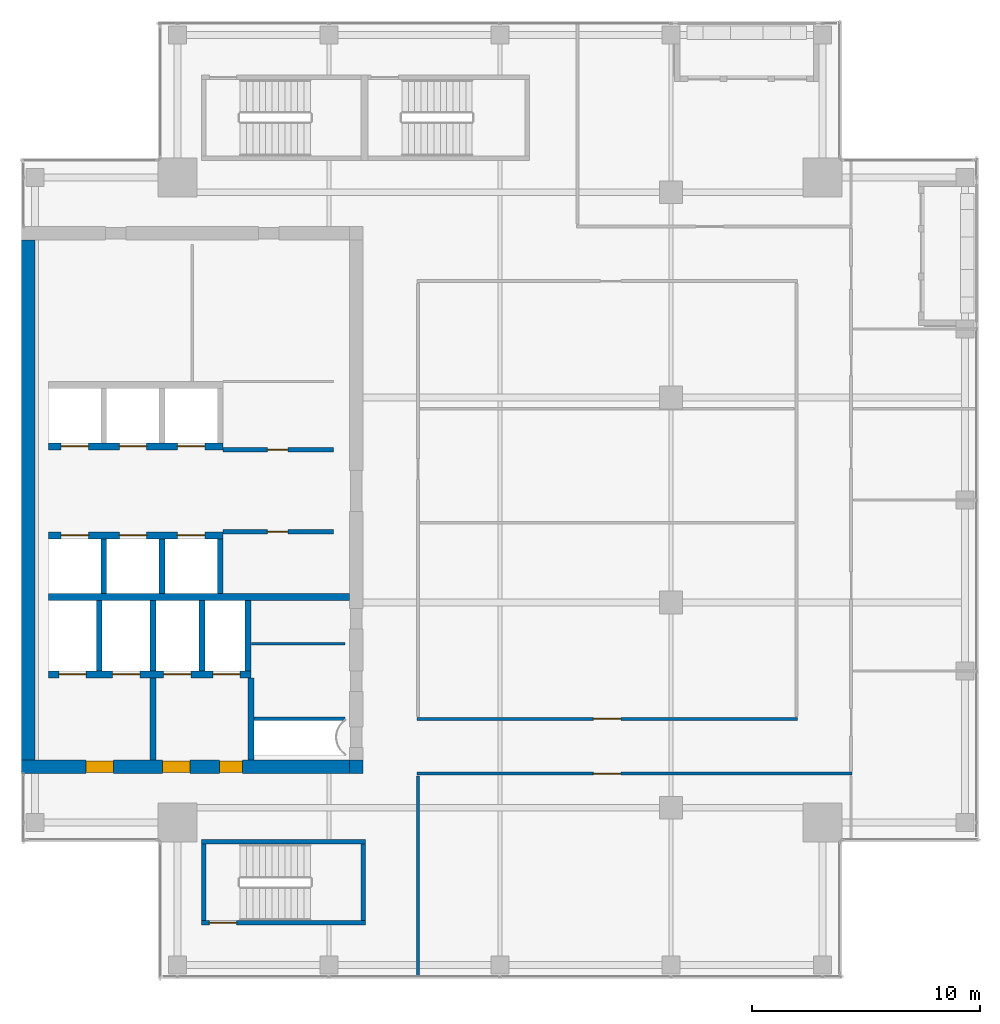
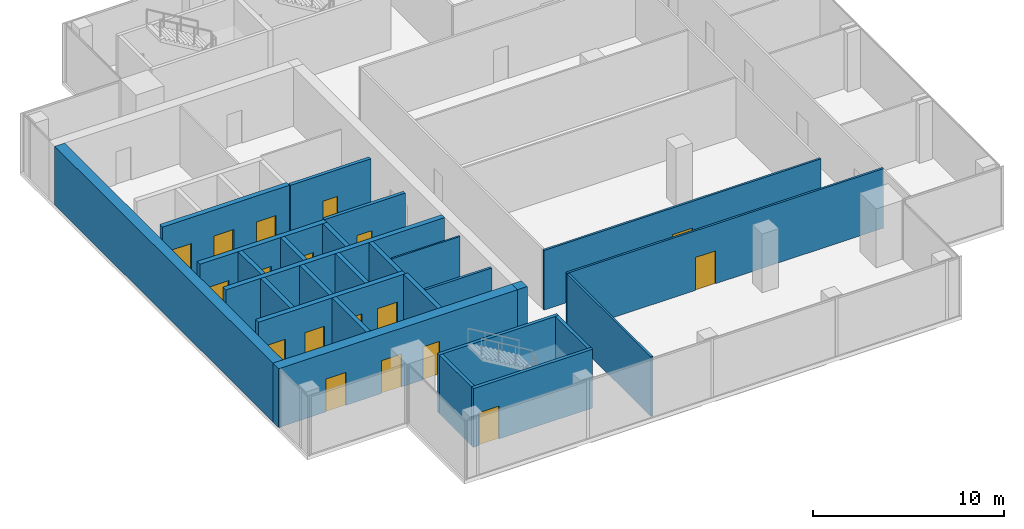
# One storey, part 25 of 29: 27 walls, 18 doors, 18 openings.
"""IFC4 building model written with IfcOpenShell, lengths in metres."""

from ifc_helpers import new_model, si_unit, direction, frame, frame_2d, origin, place, context, subcontext, project, spatial, rectangle, extrude, source, transform, mapped, material, layer, layer_set, type_object, element, fill, save


model = new_model("IFC4")

# Units and contexts
model_context = context("Model", 3, precision=1e-05, world=origin(), true_north=direction((0.0, 1.0)))
body_context = subcontext(model_context, "Body", "Model", "MODEL_VIEW")
ifc_project = project(units=[si_unit("LENGTHUNIT", "METRE"), si_unit("AREAUNIT", "SQUARE_METRE"), si_unit("VOLUMEUNIT", "CUBIC_METRE"), si_unit("PLANEANGLEUNIT", "RADIAN"), si_unit("MASSUNIT", "GRAM", prefix="KILO")], contexts=[model_context])

# Site, building, storey
site_placement = place(None, origin())
site = spatial("IfcSite", under=ifc_project, at=site_placement, CompositionType="ELEMENT")
building_placement = place(site_placement, origin())
building = spatial("IfcBuilding", under=site, at=building_placement, Name="Khomas Fold Tower", CompositionType="ELEMENT")
storey_placement = place(building_placement, frame((0.0, 0.0, 314.199951171875)))
storey = spatial("IfcBuildingStorey", under=building, at=storey_placement, Name="L71", CompositionType="ELEMENT", Elevation=314.199951171875)

# Wall
ifc_material_1 = material(Name="Concrete C50/60", Category="concrete")
ifc_layer_1 = layer(ifc_material_1, 0.199951171875)
ifc_layer_set_1 = layer_set([ifc_layer_1], Name="Concrete C50/60")
wall_type_1 = type_object("IfcWallType", Name="Stair wall 200", PredefinedType="SHEAR", material=ifc_layer_set_1)
shared_shape_1 = source(origin(), body_context, "Body", "SweptSolid", [
    extrude(rectangle(XDim=7.2001953125, YDim=0.199951171875, at=frame_2d((3.60009765625, 0.0))), origin(), (0.0, 0.0, 1.0), 3.75),
])
wall_1_placement = place(storey_placement, frame((13.89990234375, 12.0, 0.0), z_axis=(0.0, 0.0, 1.0), x_axis=(1.0, 0.0, 0.0)))
element("IfcWall", 1, at=wall_1_placement, inside=storey, type_object=wall_type_1, Name="Stair wall SW-ST2-NH", PredefinedType="SHEAR", context=body_context, shape_type="MappedRepresentation", body=[
    mapped(shared_shape_1, transform((0.0, 0.0, 0.0))),
])

# Wall, opening, door
wall_2_placement = place(storey_placement, frame((13.89990234375, 8.449951171875, 0.0), z_axis=(0.0, 0.0, 1.0), x_axis=(1.0, 0.0, 0.0)))
wall_2 = element("IfcWall", 2, at=wall_2_placement, inside=storey, type_object=wall_type_1, Name="Stair wall SW-ST2-S", PredefinedType="SHEAR", context=body_context, shape_type="MappedRepresentation", body=[
    mapped(shared_shape_1, transform((0.0, 0.0, 0.0))),
])
shared_shape_2 = source(origin(), body_context, "Body", "SweptSolid", [
    extrude(rectangle(XDim=1.199951171875, YDim=2.10009765625, at=frame_2d((0.60009765625, 1.050048828125))), frame((0.0, 0.10986328125, 0.0), z_axis=(0.0, -1.0, 0.0), x_axis=(1.0, 0.0, 0.0)), (0.0, 0.0, 1.0), 0.219970703125),
])
opening_1_placement = place(wall_2_placement, frame((0.35009765625, 0.0, 0.0)))
opening_1 = element("IfcOpeningElement", 3, at=opening_1_placement, cuts=wall_2, Name="Opening SD-ST2", PredefinedType="OPENING", context=body_context, shape_type="MappedRepresentation", body=[
    mapped(shared_shape_2, transform((0.0, 0.0, 0.0))),
])
ifc_material_2 = material(Name="Steel door leaf", Category="steel")
door_type_1 = type_object("IfcDoorType", Name="Stair door 1200x2100 right-hand", OperationType="SINGLE_SWING_RIGHT", PredefinedType="DOOR", material=ifc_material_2)
shared_shape_3 = source(origin(), body_context, "Body", "SweptSolid", [
    extrude(rectangle(XDim=1.199951171875, YDim=2.10009765625, at=frame_2d((0.60009765625, 1.050048828125))), frame((0.0, 0.02490234375, 0.0), z_axis=(0.0, -1.0, 0.0), x_axis=(1.0, 0.0, 0.0)), (0.0, 0.0, 1.0), 0.050048828125),
])
door_1_placement = place(opening_1_placement, origin())
door_1 = element("IfcDoor", 4, at=door_1_placement, inside=storey, type_object=door_type_1, Name="Stair door", OperationType="SINGLE_SWING_RIGHT", OverallHeight=2.10009765625, OverallWidth=1.199951171875, PredefinedType="DOOR", context=body_context, shape_type="MappedRepresentation", body=[
    mapped(shared_shape_3, transform((0.0, 0.0, 0.0))),
])
fill(opening_1, door_1)

# Walls
shared_shape_4 = source(origin(), body_context, "Body", "SweptSolid", [
    extrude(rectangle(XDim=3.349853515625, YDim=0.199951171875, at=frame_2d((1.6748046875, 0.0))), origin(), (0.0, 0.0, 1.0), 3.75),
])
for number, where, z_axis, x_axis, name in (
    (5, (21.0, 8.550048828125, 0.0), (0.0, 0.0, 1.0), (0.0, 1.0, 0.0), "Stair wall SW-ST2-E"),
    (6, (14.0, 8.550048828125, 0.0), (0.0, 0.0, 1.0), (0.0, 1.0, 0.0), "Stair wall SW-ST2-W"),
):
    element("IfcWall", number, at=place(storey_placement, frame(where, z_axis=z_axis, x_axis=x_axis)), inside=storey, type_object=wall_type_1, Name=name, PredefinedType="SHEAR", context=body_context, shape_type="MappedRepresentation", body=[
        mapped(shared_shape_4, transform((0.0, 0.0, 0.0))),
    ])
ifc_material_3 = material(Name="Concrete C50/60", Category="concrete")
ifc_layer_2 = layer(ifc_material_3, 0.25)
ifc_layer_set_2 = layer_set([ifc_layer_2], Name="Concrete C50/60")
wall_type_2 = type_object("IfcWallType", Name="Shaft wall 250", PredefinedType="STANDARD", material=ifc_layer_set_2)
shared_shape_5 = source(origin(), body_context, "Body", "SweptSolid", [
    extrude(rectangle(XDim=3.10009765625, YDim=0.25, at=frame_2d((1.550048828125, 0.0))), origin(), (0.0, 0.0, 1.0), 3.75),
])
for number, where, z_axis, x_axis, name in (
    (7, (9.425048828125, 19.5, 0.0), (0.0, 0.0, 1.0), (0.0, 1.0, 0.0), "Core wall SW-FS-P1"),
    (8, (11.77490234375, 19.5, 0.0), (0.0, 0.0, 1.0), (0.0, 1.0, 0.0), "Core wall SW-FS-P2"),
    (9, (13.925048828125, 19.5, 0.0), (0.0, 0.0, 1.0), (0.0, 1.0, 0.0), "Core wall SW-FS-P3"),
    (10, (15.949951171875, 19.5, 0.0), (0.0, 0.0, 1.0), (0.0, 1.0, 0.0), "Core wall SW-FS-PE"),
):
    element("IfcWall", number, at=place(storey_placement, frame(where, z_axis=z_axis, x_axis=x_axis)), inside=storey, type_object=wall_type_2, Name=name, PredefinedType="STANDARD", context=body_context, shape_type="MappedRepresentation", body=[
        mapped(shared_shape_5, transform((0.0, 0.0, 0.0))),
    ])
shared_shape_6 = source(origin(), body_context, "Body", "SweptSolid", [
    extrude(rectangle(XDim=2.400146484375, YDim=0.25, at=frame_2d((1.2001953125, 0.0))), origin(), (0.0, 0.0, 1.0), 3.75),
])
for number, where, z_axis, x_axis, name in (
    (11, (9.625, 22.89990234375, 0.0), (0.0, 0.0, 1.0), (0.0, 1.0, 0.0), "Core wall SW-HRS-P1"),
    (12, (12.175048828125, 22.89990234375, 0.0), (0.0, 0.0, 1.0), (0.0, 1.0, 0.0), "Core wall SW-HRS-P2"),
    (13, (14.72509765625, 22.89990234375, 0.0), (0.0, 0.0, 1.0), (0.0, 1.0, 0.0), "Core wall SW-HRS-PE"),
):
    element("IfcWall", number, at=place(storey_placement, frame(where, z_axis=z_axis, x_axis=x_axis)), inside=storey, type_object=wall_type_2, Name=name, PredefinedType="STANDARD", context=body_context, shape_type="MappedRepresentation", body=[
        mapped(shared_shape_6, transform((0.0, 0.0, 0.0))),
    ])

# Wall, openings, doors
ifc_material_4 = material(Name="Concrete C50/60", Category="concrete")
ifc_layer_3 = layer(ifc_material_4, 0.60009765625)
ifc_layer_set_3 = layer_set([ifc_layer_3], Name="Concrete C50/60")
wall_type_3 = type_object("IfcWallType", Name="Core wall 600", PredefinedType="SHEAR", material=ifc_layer_set_3)
shared_shape_7 = source(origin(), body_context, "Body", "SweptSolid", [
    extrude(rectangle(XDim=14.39990234375, YDim=0.60009765625, at=frame_2d((7.199951171875, 0.0))), origin(), (0.0, 0.0, 1.0), 3.75),
])
wall_3_placement = place(storey_placement, frame((6.0, 15.300048828125, 0.0), z_axis=(0.0, 0.0, 1.0), x_axis=(1.0, 0.0, 0.0)))
wall_3 = element("IfcWall", 14, at=wall_3_placement, inside=storey, type_object=wall_type_3, Name="Core wall CW-U-S-L63", PredefinedType="SHEAR", context=body_context, shape_type="MappedRepresentation", body=[
    mapped(shared_shape_7, transform((0.0, 0.0, 0.0))),
])
shared_shape_8 = source(origin(), body_context, "Body", "SweptSolid", [
    extrude(rectangle(XDim=1.199951171875, YDim=2.10009765625, at=frame_2d((0.60009765625, 1.050048828125))), frame((0.0, 0.31005859375, 0.0), z_axis=(0.0, -1.0, 0.0), x_axis=(1.0, 0.0, 0.0)), (0.0, 0.0, 1.0), 0.6201171875),
])
opening_2_placement = place(wall_3_placement, frame((6.199951171875, 0.0, 0.0)))
opening_2 = element("IfcOpeningElement", 15, at=opening_2_placement, cuts=wall_3, Name="Opening 0009", PredefinedType="OPENING", context=body_context, shape_type="MappedRepresentation", body=[
    mapped(shared_shape_8, transform((0.0, 0.0, 0.0))),
])
opening_3_placement = place(wall_3_placement, frame((2.85009765625, 0.0, 0.0)))
opening_3 = element("IfcOpeningElement", 16, at=opening_3_placement, cuts=wall_3, Name="Opening 0009", PredefinedType="OPENING", context=body_context, shape_type="MappedRepresentation", body=[
    mapped(shared_shape_8, transform((0.0, 0.0, 0.0))),
])
shared_shape_9 = source(origin(), body_context, "Body", "SweptSolid", [
    extrude(rectangle(XDim=1.0, YDim=2.10009765625, at=frame_2d((0.5, 1.050048828125))), frame((0.0, 0.31005859375, 0.0), z_axis=(0.0, -1.0, 0.0), x_axis=(1.0, 0.0, 0.0)), (0.0, 0.0, 1.0), 0.6201171875),
])
opening_4_placement = place(wall_3_placement, frame((8.699951171875, 0.0, 0.0)))
opening_4 = element("IfcOpeningElement", 17, at=opening_4_placement, cuts=wall_3, Name="Opening 0010", PredefinedType="OPENING", context=body_context, shape_type="MappedRepresentation", body=[
    mapped(shared_shape_9, transform((0.0, 0.0, 0.0))),
])
ifc_material_5 = material(Name="Steel door leaf", Category="steel")
door_type_2 = type_object("IfcDoorType", Name="Stair door 1000x2100 right-hand", OperationType="SINGLE_SWING_RIGHT", PredefinedType="DOOR", material=ifc_material_5)
shared_shape_10 = source(origin(), body_context, "Body", "SweptSolid", [
    extrude(rectangle(XDim=1.0, YDim=2.10009765625, at=frame_2d((0.5, 1.050048828125))), frame((0.0, 0.25, 0.0), z_axis=(0.0, -1.0, 0.0), x_axis=(1.0, 0.0, 0.0)), (0.0, 0.0, 1.0), 0.5),
])
door_2_placement = place(opening_4_placement, origin())
door_2 = element("IfcDoor", 18, at=door_2_placement, inside=storey, type_object=door_type_2, Name="Stair door", OperationType="SINGLE_SWING_RIGHT", OverallHeight=2.10009765625, OverallWidth=1.0, PredefinedType="DOOR", context=body_context, shape_type="MappedRepresentation", body=[
    mapped(shared_shape_10, transform((0.0, 0.0, 0.0))),
])
fill(opening_4, door_2)
ifc_material_6 = material(Name="Steel door leaf", Category="steel")
door_type_3 = type_object("IfcDoorType", Name="Lobby door 1200x2100 right-hand", OperationType="SINGLE_SWING_RIGHT", PredefinedType="DOOR", material=ifc_material_6)
shared_shape_11 = source(origin(), body_context, "Body", "SweptSolid", [
    extrude(rectangle(XDim=1.199951171875, YDim=2.10009765625, at=frame_2d((0.60009765625, 1.050048828125))), frame((0.0, 0.25, 0.0), z_axis=(0.0, -1.0, 0.0), x_axis=(1.0, 0.0, 0.0)), (0.0, 0.0, 1.0), 0.5),
])
door_3_placement = place(opening_2_placement, origin())
door_3 = element("IfcDoor", 19, at=door_3_placement, inside=storey, type_object=door_type_3, Name="Lobby door", OperationType="SINGLE_SWING_RIGHT", OverallHeight=2.10009765625, OverallWidth=1.199951171875, PredefinedType="DOOR", context=body_context, shape_type="MappedRepresentation", body=[
    mapped(shared_shape_11, transform((0.0, 0.0, 0.0))),
])
fill(opening_2, door_3)
door_4_placement = place(opening_3_placement, origin())
door_4 = element("IfcDoor", 20, at=door_4_placement, inside=storey, type_object=door_type_3, Name="Lobby door", OperationType="SINGLE_SWING_RIGHT", OverallHeight=2.10009765625, OverallWidth=1.199951171875, PredefinedType="DOOR", context=body_context, shape_type="MappedRepresentation", body=[
    mapped(shared_shape_11, transform((0.0, 0.0, 0.0))),
])
fill(opening_3, door_4)

# Walls
ifc_material_7 = material(Name="Concrete C50/60", Category="concrete")
ifc_layer_4 = layer(ifc_material_7, 0.60009765625)
ifc_layer_set_4 = layer_set([ifc_layer_4], Name="Concrete C50/60")
wall_type_4 = type_object("IfcWallType", Name="Core corner wall 600", PredefinedType="SHEAR", material=ifc_layer_set_4)
shared_shape_12 = source(origin(), body_context, "Body", "SweptSolid", [
    extrude(rectangle(XDim=0.60009765625, YDim=0.60009765625, at=frame_2d((0.300048828125, 0.0))), origin(), (0.0, 0.0, 1.0), 3.75),
])
wall_4_placement = place(storey_placement, frame((20.39990234375, 15.300048828125, 0.0), z_axis=(0.0, 0.0, 1.0), x_axis=(1.0, 0.0, 0.0)))
element("IfcWall", 21, at=wall_4_placement, inside=storey, type_object=wall_type_4, Name="Core wall CW-U-SE-L63", PredefinedType="SHEAR", context=body_context, shape_type="MappedRepresentation", body=[
    mapped(shared_shape_12, transform((0.0, 0.0, 0.0))),
])
shared_shape_13 = source(origin(), body_context, "Body", "SweptSolid", [
    extrude(rectangle(XDim=22.7998046875, YDim=0.60009765625, at=frame_2d((11.39990234375, 0.0))), origin(), (0.0, 0.0, 1.0), 3.75),
])
wall_5_placement = place(storey_placement, frame((6.300048828125, 15.60009765625, 0.0), z_axis=(0.0, 0.0, 1.0), x_axis=(0.0, 1.0, 0.0)))
element("IfcWall", 22, at=wall_5_placement, inside=storey, type_object=wall_type_3, Name="Core wall CW-U-W-L63", PredefinedType="SHEAR", context=body_context, shape_type="MappedRepresentation", body=[
    mapped(shared_shape_13, transform((0.0, 0.0, 0.0))),
])
ifc_material_8 = material(Name="Concrete C50/60", Category="concrete")
ifc_layer_5 = layer(ifc_material_8, 0.300048828125)
ifc_layer_set_5 = layer_set([ifc_layer_5], Name="Concrete C50/60")
wall_type_5 = type_object("IfcWallType", Name="Shaft wall 300", PredefinedType="STANDARD", material=ifc_layer_set_5)
shared_shape_14 = source(origin(), body_context, "Body", "SweptSolid", [
    extrude(rectangle(XDim=13.199951171875, YDim=0.300048828125, at=frame_2d((6.60009765625, 0.0))), origin(), (0.0, 0.0, 1.0), 3.75),
])
wall_6_placement = place(storey_placement, frame((7.199951171875, 22.75, 0.0), z_axis=(0.0, 0.0, 1.0), x_axis=(1.0, 0.0, 0.0)))
element("IfcWall", 23, at=wall_6_placement, inside=storey, type_object=wall_type_5, Name="Core wall SW-FS-B", PredefinedType="STANDARD", context=body_context, shape_type="MappedRepresentation", body=[
    mapped(shared_shape_14, transform((0.0, 0.0, 0.0))),
])

# Wall, openings, doors
shared_shape_15 = source(origin(), body_context, "Body", "SweptSolid", [
    extrude(rectangle(XDim=8.875, YDim=0.300048828125, at=frame_2d((4.4375, 0.0))), origin(), (0.0, 0.0, 1.0), 3.75),
])
wall_7_placement = place(storey_placement, frame((7.199951171875, 19.35009765625, 0.0), z_axis=(0.0, 0.0, 1.0), x_axis=(1.0, 0.0, 0.0)))
wall_7 = element("IfcWall", 24, at=wall_7_placement, inside=storey, type_object=wall_type_5, Name="Core wall SW-FS-F", PredefinedType="STANDARD", context=body_context, shape_type="MappedRepresentation", body=[
    mapped(shared_shape_15, transform((0.0, 0.0, 0.0))),
])
shared_shape_16 = source(origin(), body_context, "Body", "SweptSolid", [
    extrude(rectangle(XDim=1.199951171875, YDim=2.10009765625, at=frame_2d((0.60009765625, 1.050048828125))), frame((0.0, 0.159912109375, 0.0), z_axis=(0.0, -1.0, 0.0), x_axis=(1.0, 0.0, 0.0)), (0.0, 0.0, 1.0), 0.320068359375),
])
opening_5_placement = place(wall_7_placement, frame((0.449951171875, 0.0, 0.0)))
opening_5 = element("IfcOpeningElement", 25, at=opening_5_placement, cuts=wall_7, Name="Opening LD-SV1", PredefinedType="OPENING", context=body_context, shape_type="MappedRepresentation", body=[
    mapped(shared_shape_16, transform((0.0, 0.0, 0.0))),
])
opening_6_placement = place(wall_7_placement, frame((2.800048828125, 0.0, 0.0)))
opening_6 = element("IfcOpeningElement", 26, at=opening_6_placement, cuts=wall_7, Name="Opening LD-SV2", PredefinedType="OPENING", context=body_context, shape_type="MappedRepresentation", body=[
    mapped(shared_shape_16, transform((0.0, 0.0, 0.0))),
])
opening_7_placement = place(wall_7_placement, frame((5.050048828125, 0.0, 0.0)))
opening_7 = element("IfcOpeningElement", 27, at=opening_7_placement, cuts=wall_7, Name="Opening LD-FF1", PredefinedType="OPENING", context=body_context, shape_type="MappedRepresentation", body=[
    mapped(shared_shape_16, transform((0.0, 0.0, 0.0))),
])
opening_8_placement = place(wall_7_placement, frame((7.199951171875, 0.0, 0.0)))
opening_8 = element("IfcOpeningElement", 28, at=opening_8_placement, cuts=wall_7, Name="Opening LD-FF2", PredefinedType="OPENING", context=body_context, shape_type="MappedRepresentation", body=[
    mapped(shared_shape_16, transform((0.0, 0.0, 0.0))),
])
ifc_material_9 = material(Name="Steel door leaf", Category="steel")
door_type_4 = type_object("IfcDoorType", Name="Landing door 1200x2100", OperationType="DOUBLE_DOOR_SLIDING", PredefinedType="DOOR", material=ifc_material_9)
door_5_placement = place(opening_5_placement, origin())
door_5 = element("IfcDoor", 29, at=door_5_placement, inside=storey, type_object=door_type_4, Name="Lift landing door", OperationType="DOUBLE_DOOR_SLIDING", OverallHeight=2.10009765625, OverallWidth=1.199951171875, PredefinedType="DOOR", context=body_context, shape_type="MappedRepresentation", body=[
    mapped(shared_shape_3, transform((0.0, 0.0, 0.0))),
])
fill(opening_5, door_5)
door_6_placement = place(opening_6_placement, origin())
door_6 = element("IfcDoor", 30, at=door_6_placement, inside=storey, type_object=door_type_4, Name="Lift landing door", OperationType="DOUBLE_DOOR_SLIDING", OverallHeight=2.10009765625, OverallWidth=1.199951171875, PredefinedType="DOOR", context=body_context, shape_type="MappedRepresentation", body=[
    mapped(shared_shape_3, transform((0.0, 0.0, 0.0))),
])
fill(opening_6, door_6)
door_7_placement = place(opening_7_placement, origin())
door_7 = element("IfcDoor", 31, at=door_7_placement, inside=storey, type_object=door_type_4, Name="Lift landing door", OperationType="DOUBLE_DOOR_SLIDING", OverallHeight=2.10009765625, OverallWidth=1.199951171875, PredefinedType="DOOR", context=body_context, shape_type="MappedRepresentation", body=[
    mapped(shared_shape_3, transform((0.0, 0.0, 0.0))),
])
fill(opening_7, door_7)
door_8_placement = place(opening_8_placement, origin())
door_8 = element("IfcDoor", 32, at=door_8_placement, inside=storey, type_object=door_type_4, Name="Lift landing door", OperationType="DOUBLE_DOOR_SLIDING", OverallHeight=2.10009765625, OverallWidth=1.199951171875, PredefinedType="DOOR", context=body_context, shape_type="MappedRepresentation", body=[
    mapped(shared_shape_3, transform((0.0, 0.0, 0.0))),
])
fill(opening_8, door_8)

shared_shape_17 = source(origin(), body_context, "Body", "SweptSolid", [
    extrude(rectangle(XDim=7.650146484375, YDim=0.300048828125, at=frame_2d((3.8251953125, 0.0))), origin(), (0.0, 0.0, 1.0), 3.75),
])
wall_8_placement = place(storey_placement, frame((7.199951171875, 29.35009765625, 0.0), z_axis=(0.0, 0.0, 1.0), x_axis=(1.0, 0.0, 0.0)))
wall_8 = element("IfcWall", 33, at=wall_8_placement, inside=storey, type_object=wall_type_5, Name="Core wall SW-HRN-F", PredefinedType="STANDARD", context=body_context, shape_type="MappedRepresentation", body=[
    mapped(shared_shape_17, transform((0.0, 0.0, 0.0))),
])
opening_9_placement = place(wall_8_placement, frame((0.550048828125, 0.0, 0.0)))
opening_9 = element("IfcOpeningElement", 34, at=opening_9_placement, cuts=wall_8, Name="Opening LD-HR4", PredefinedType="OPENING", context=body_context, shape_type="MappedRepresentation", body=[
    mapped(shared_shape_16, transform((0.0, 0.0, 0.0))),
])
opening_10_placement = place(wall_8_placement, frame((3.10009765625, 0.0, 0.0)))
opening_10 = element("IfcOpeningElement", 35, at=opening_10_placement, cuts=wall_8, Name="Opening LD-HR5", PredefinedType="OPENING", context=body_context, shape_type="MappedRepresentation", body=[
    mapped(shared_shape_16, transform((0.0, 0.0, 0.0))),
])
opening_11_placement = place(wall_8_placement, frame((5.64990234375, 0.0, 0.0)))
opening_11 = element("IfcOpeningElement", 36, at=opening_11_placement, cuts=wall_8, Name="Opening LD-HR6", PredefinedType="OPENING", context=body_context, shape_type="MappedRepresentation", body=[
    mapped(shared_shape_16, transform((0.0, 0.0, 0.0))),
])
door_9_placement = place(opening_9_placement, origin())
door_9 = element("IfcDoor", 37, at=door_9_placement, inside=storey, type_object=door_type_4, Name="Lift landing door", OperationType="DOUBLE_DOOR_SLIDING", OverallHeight=2.10009765625, OverallWidth=1.199951171875, PredefinedType="DOOR", context=body_context, shape_type="MappedRepresentation", body=[
    mapped(shared_shape_3, transform((0.0, 0.0, 0.0))),
])
fill(opening_9, door_9)
door_10_placement = place(opening_10_placement, origin())
door_10 = element("IfcDoor", 38, at=door_10_placement, inside=storey, type_object=door_type_4, Name="Lift landing door", OperationType="DOUBLE_DOOR_SLIDING", OverallHeight=2.10009765625, OverallWidth=1.199951171875, PredefinedType="DOOR", context=body_context, shape_type="MappedRepresentation", body=[
    mapped(shared_shape_3, transform((0.0, 0.0, 0.0))),
])
fill(opening_10, door_10)
door_11_placement = place(opening_11_placement, origin())
door_11 = element("IfcDoor", 39, at=door_11_placement, inside=storey, type_object=door_type_4, Name="Lift landing door", OperationType="DOUBLE_DOOR_SLIDING", OverallHeight=2.10009765625, OverallWidth=1.199951171875, PredefinedType="DOOR", context=body_context, shape_type="MappedRepresentation", body=[
    mapped(shared_shape_3, transform((0.0, 0.0, 0.0))),
])
fill(opening_11, door_11)

wall_9_placement = place(storey_placement, frame((7.199951171875, 25.449951171875, 0.0), z_axis=(0.0, 0.0, 1.0), x_axis=(1.0, 0.0, 0.0)))
wall_9 = element("IfcWall", 40, at=wall_9_placement, inside=storey, type_object=wall_type_5, Name="Core wall SW-HRS-F", PredefinedType="STANDARD", context=body_context, shape_type="MappedRepresentation", body=[
    mapped(shared_shape_17, transform((0.0, 0.0, 0.0))),
])
opening_12_placement = place(wall_9_placement, frame((0.550048828125, 0.0, 0.0)))
opening_12 = element("IfcOpeningElement", 41, at=opening_12_placement, cuts=wall_9, Name="Opening LD-HR1", PredefinedType="OPENING", context=body_context, shape_type="MappedRepresentation", body=[
    mapped(shared_shape_16, transform((0.0, 0.0, 0.0))),
])
opening_13_placement = place(wall_9_placement, frame((3.10009765625, 0.0, 0.0)))
opening_13 = element("IfcOpeningElement", 42, at=opening_13_placement, cuts=wall_9, Name="Opening LD-HR2", PredefinedType="OPENING", context=body_context, shape_type="MappedRepresentation", body=[
    mapped(shared_shape_16, transform((0.0, 0.0, 0.0))),
])
opening_14_placement = place(wall_9_placement, frame((5.64990234375, 0.0, 0.0)))
opening_14 = element("IfcOpeningElement", 43, at=opening_14_placement, cuts=wall_9, Name="Opening LD-HR3", PredefinedType="OPENING", context=body_context, shape_type="MappedRepresentation", body=[
    mapped(shared_shape_16, transform((0.0, 0.0, 0.0))),
])
door_12_placement = place(opening_12_placement, origin())
door_12 = element("IfcDoor", 44, at=door_12_placement, inside=storey, type_object=door_type_4, Name="Lift landing door", OperationType="DOUBLE_DOOR_SLIDING", OverallHeight=2.10009765625, OverallWidth=1.199951171875, PredefinedType="DOOR", context=body_context, shape_type="MappedRepresentation", body=[
    mapped(shared_shape_3, transform((0.0, 0.0, 0.0))),
])
fill(opening_12, door_12)
door_13_placement = place(opening_13_placement, origin())
door_13 = element("IfcDoor", 45, at=door_13_placement, inside=storey, type_object=door_type_4, Name="Lift landing door", OperationType="DOUBLE_DOOR_SLIDING", OverallHeight=2.10009765625, OverallWidth=1.199951171875, PredefinedType="DOOR", context=body_context, shape_type="MappedRepresentation", body=[
    mapped(shared_shape_3, transform((0.0, 0.0, 0.0))),
])
fill(opening_13, door_13)
door_14_placement = place(opening_14_placement, origin())
door_14 = element("IfcDoor", 46, at=door_14_placement, inside=storey, type_object=door_type_4, Name="Lift landing door", OperationType="DOUBLE_DOOR_SLIDING", OverallHeight=2.10009765625, OverallWidth=1.199951171875, PredefinedType="DOOR", context=body_context, shape_type="MappedRepresentation", body=[
    mapped(shared_shape_3, transform((0.0, 0.0, 0.0))),
])
fill(opening_14, door_14)

# Walls
ifc_material_10 = material(Name="Concrete C50/60", Category="concrete")
ifc_layer_6 = layer(ifc_material_10, 0.25)
ifc_layer_set_6 = layer_set([ifc_layer_6], Name="Concrete C50/60")
wall_type_6 = type_object("IfcWallType", Name="Lobby wall 250", PredefinedType="STANDARD", material=ifc_layer_set_6)
shared_shape_18 = source(origin(), body_context, "Body", "SweptSolid", [
    extrude(rectangle(XDim=3.599853515625, YDim=0.25, at=frame_2d((1.7998046875, 0.0))), origin(), (0.0, 0.0, 1.0), 3.75),
])
for number, where, z_axis, x_axis, name in (
    (47, (16.074951171875, 15.60009765625, 0.0), (0.0, 0.0, 1.0), (0.0, 1.0, 0.0), "Core wall SW-FS-LOB-E"),
    (48, (11.77490234375, 15.60009765625, 0.0), (0.0, 0.0, 1.0), (0.0, 1.0, 0.0), "Core wall SW-FS-SEP"),
):
    element("IfcWall", number, at=place(storey_placement, frame(where, z_axis=z_axis, x_axis=x_axis)), inside=storey, type_object=wall_type_6, Name=name, PredefinedType="STANDARD", context=body_context, shape_type="MappedRepresentation", body=[
        mapped(shared_shape_18, transform((0.0, 0.0, 0.0))),
    ])
ifc_material_11 = material(Name="Plasterboard fire partition")
ifc_layer_7 = layer(ifc_material_11, 0.14990234375)
ifc_layer_set_7 = layer_set([ifc_layer_7], Name="Plasterboard fire partition")
wall_type_7 = type_object("IfcWallType", Name="Plant room wall PW3 150", PredefinedType="PARTITIONING", material=ifc_layer_set_7)
shared_shape_19 = source(origin(), body_context, "Body", "SweptSolid", [
    extrude(rectangle(XDim=4.0, YDim=0.14990234375, at=frame_2d((2.0, 0.0))), origin(), (0.0, 0.0, 1.0), 3.800048828125),
])
wall_10_placement = place(storey_placement, frame((16.199951171875, 17.39990234375, 0.0), z_axis=(0.0, 0.0, 1.0), x_axis=(1.0, 0.0, 0.0)))
element("IfcWall", 49, at=wall_10_placement, inside=storey, type_object=wall_type_7, Name="Plant room wall", PredefinedType="PARTITIONING", context=body_context, shape_type="MappedRepresentation", body=[
    mapped(shared_shape_19, transform((0.0, 0.0, 0.0))),
])
ifc_material_12 = material(Name="Plasterboard partition")
ifc_layer_8 = layer(ifc_material_12, 0.10009765625)
ifc_layer_set_8 = layer_set([ifc_layer_8], Name="Plasterboard partition")
wall_type_8 = type_object("IfcWallType", Name="Partition PW1 100", PredefinedType="PARTITIONING", material=ifc_layer_set_8)
shared_shape_20 = source(origin(), body_context, "Body", "SweptSolid", [
    extrude(rectangle(XDim=4.099853515625, YDim=0.10009765625, at=frame_2d((2.0498046875, 0.0))), origin(), (0.0, 0.0, 1.0), 3.800048828125),
])
wall_11_placement = place(storey_placement, frame((16.10009765625, 20.699951171875, 0.0), z_axis=(0.0, 0.0, 1.0), x_axis=(1.0, 0.0, 0.0)))
element("IfcWall", 50, at=wall_11_placement, inside=storey, type_object=wall_type_8, Name="Partition", PredefinedType="PARTITIONING", context=body_context, shape_type="MappedRepresentation", body=[
    mapped(shared_shape_20, transform((0.0, 0.0, 0.0))),
])

# Wall, opening, door
ifc_material_13 = material(Name="Concrete C30/37", Category="concrete")
ifc_layer_9 = layer(ifc_material_13, 0.199951171875)
ifc_layer_set_9 = layer_set([ifc_layer_9], Name="Concrete C30/37")
wall_type_9 = type_object("IfcWallType", Name="Lobby wall PW4 200", PredefinedType="PARTITIONING", material=ifc_layer_set_9)
shared_shape_21 = source(origin(), body_context, "Body", "SweptSolid", [
    extrude(rectangle(XDim=4.849853515625, YDim=0.199951171875, at=frame_2d((2.4248046875, 0.0))), origin(), (0.0, 0.0, 1.0), 3.800048828125),
])
wall_12_placement = place(storey_placement, frame((14.85009765625, 25.60009765625, 0.0), z_axis=(0.0, 0.0, 1.0), x_axis=(1.0, 0.0, 0.0)))
wall_12 = element("IfcWall", 51, at=wall_12_placement, inside=storey, type_object=wall_type_9, Name="Lobby wall", PredefinedType="PARTITIONING", context=body_context, shape_type="MappedRepresentation", body=[
    mapped(shared_shape_21, transform((0.0, 0.0, 0.0))),
])
shared_shape_22 = source(origin(), body_context, "Body", "SweptSolid", [
    extrude(rectangle(XDim=0.89990234375, YDim=2.10009765625, at=frame_2d((0.449951171875, 1.050048828125))), frame((0.0, 0.10986328125, 0.0), z_axis=(0.0, -1.0, 0.0), x_axis=(1.0, 0.0, 0.0)), (0.0, 0.0, 1.0), 0.219970703125),
])
opening_15_placement = place(wall_12_placement, frame((1.949951171875, 0.0, 0.0)))
opening_15 = element("IfcOpeningElement", 52, at=opening_15_placement, cuts=wall_12, Name="Opening 0002", PredefinedType="OPENING", context=body_context, shape_type="MappedRepresentation", body=[
    mapped(shared_shape_22, transform((0.0, 0.0, 0.0))),
])
ifc_material_14 = material(Name="Steel door leaf", Category="steel")
door_type_5 = type_object("IfcDoorType", Name="Plant room door 900x2100 left-hand", OperationType="SINGLE_SWING_LEFT", PredefinedType="DOOR", material=ifc_material_14)
shared_shape_23 = source(origin(), body_context, "Body", "SweptSolid", [
    extrude(rectangle(XDim=0.89990234375, YDim=2.10009765625, at=frame_2d((0.449951171875, 1.050048828125))), frame((0.0, 0.02490234375, 0.0), z_axis=(0.0, -1.0, 0.0), x_axis=(1.0, 0.0, 0.0)), (0.0, 0.0, 1.0), 0.050048828125),
])
door_15_placement = place(opening_15_placement, origin())
door_15 = element("IfcDoor", 53, at=door_15_placement, inside=storey, type_object=door_type_5, Name="Plant room door", OperationType="SINGLE_SWING_LEFT", OverallHeight=2.10009765625, OverallWidth=0.89990234375, PredefinedType="DOOR", context=body_context, shape_type="MappedRepresentation", body=[
    mapped(shared_shape_23, transform((0.0, 0.0, 0.0))),
])
fill(opening_15, door_15)

wall_13_placement = place(storey_placement, frame((14.85009765625, 29.199951171875, 0.0), z_axis=(0.0, 0.0, 1.0), x_axis=(1.0, 0.0, 0.0)))
wall_13 = element("IfcWall", 54, at=wall_13_placement, inside=storey, type_object=wall_type_9, Name="Lobby wall", PredefinedType="PARTITIONING", context=body_context, shape_type="MappedRepresentation", body=[
    mapped(shared_shape_21, transform((0.0, 0.0, 0.0))),
])
opening_16_placement = place(wall_13_placement, frame((1.949951171875, 0.0, 0.0)))
opening_16 = element("IfcOpeningElement", 55, at=opening_16_placement, cuts=wall_13, Name="Opening 0021", PredefinedType="OPENING", context=body_context, shape_type="MappedRepresentation", body=[
    mapped(shared_shape_22, transform((0.0, 0.0, 0.0))),
])
ifc_material_15 = material(Name="Steel door leaf", Category="steel")
door_type_6 = type_object("IfcDoorType", Name="Lobby door 900x2100 left-hand", OperationType="SINGLE_SWING_LEFT", PredefinedType="DOOR", material=ifc_material_15)
door_16_placement = place(opening_16_placement, origin())
door_16 = element("IfcDoor", 56, at=door_16_placement, inside=storey, type_object=door_type_6, Name="Lobby door", OperationType="SINGLE_SWING_LEFT", OverallHeight=2.10009765625, OverallWidth=0.89990234375, PredefinedType="DOOR", context=body_context, shape_type="MappedRepresentation", body=[
    mapped(shared_shape_23, transform((0.0, 0.0, 0.0))),
])
fill(opening_16, door_16)

# Wall
ifc_material_16 = material(Name="Plasterboard partition")
ifc_layer_10 = layer(ifc_material_16, 0.125)
ifc_layer_set_10 = layer_set([ifc_layer_10], Name="Plasterboard partition")
wall_type_10 = type_object("IfcWallType", Name="Partition PW2 125", PredefinedType="PARTITIONING", material=ifc_layer_set_10)
shared_shape_24 = source(origin(), body_context, "Body", "SweptSolid", [
    extrude(rectangle(XDim=8.75, YDim=0.125, at=frame_2d((4.375, 0.0))), origin(), (0.0, 0.0, 1.0), 3.800048828125),
])
wall_14_placement = place(storey_placement, frame((23.39990234375, 6.14990234375, 0.0), z_axis=(0.0, 0.0, 1.0), x_axis=(0.0, 1.0, 0.0)))
element("IfcWall", 57, at=wall_14_placement, inside=storey, type_object=wall_type_10, Name="Partition", PredefinedType="PARTITIONING", context=body_context, shape_type="MappedRepresentation", body=[
    mapped(shared_shape_24, transform((0.0, 0.0, 0.0))),
])

# Wall, opening, door
shared_shape_25 = source(origin(), body_context, "Body", "SweptSolid", [
    extrude(rectangle(XDim=19.099853515625, YDim=0.125, at=frame_2d((9.5498046875, 0.0))), origin(), (0.0, 0.0, 1.0), 3.800048828125),
])
wall_15_placement = place(storey_placement, frame((23.35009765625, 15.0, 0.0), z_axis=(0.0, 0.0, 1.0), x_axis=(1.0, 0.0, 0.0)))
wall_15 = element("IfcWall", 58, at=wall_15_placement, inside=storey, type_object=wall_type_10, Name="Partition", PredefinedType="PARTITIONING", context=body_context, shape_type="MappedRepresentation", body=[
    mapped(shared_shape_25, transform((0.0, 0.0, 0.0))),
])
shared_shape_26 = source(origin(), body_context, "Body", "SweptSolid", [
    extrude(rectangle(XDim=1.199951171875, YDim=2.10009765625, at=frame_2d((0.60009765625, 1.050048828125))), frame((0.0, 0.072509765625, 0.0), z_axis=(0.0, -1.0, 0.0), x_axis=(1.0, 0.0, 0.0)), (0.0, 0.0, 1.0), 0.14501953125),
])
opening_17_placement = place(wall_15_placement, frame((7.75, 0.0, 0.0)))
opening_17 = element("IfcOpeningElement", 59, at=opening_17_placement, cuts=wall_15, Name="Opening 0013", PredefinedType="OPENING", context=body_context, shape_type="MappedRepresentation", body=[
    mapped(shared_shape_26, transform((0.0, 0.0, 0.0))),
])
ifc_material_17 = material(Name="Timber door leaf", Category="wood")
door_type_7 = type_object("IfcDoorType", Name="Door 1200x2100 left-hand", OperationType="SINGLE_SWING_LEFT", PredefinedType="DOOR", material=ifc_material_17)
door_17_placement = place(opening_17_placement, origin())
door_17 = element("IfcDoor", 60, at=door_17_placement, inside=storey, type_object=door_type_7, Name="Door", OperationType="SINGLE_SWING_LEFT", OverallHeight=2.10009765625, OverallWidth=1.199951171875, PredefinedType="DOOR", context=body_context, shape_type="MappedRepresentation", body=[
    mapped(shared_shape_3, transform((0.0, 0.0, 0.0))),
])
fill(opening_17, door_17)

shared_shape_27 = source(origin(), body_context, "Body", "SweptSolid", [
    extrude(rectangle(XDim=16.699951171875, YDim=0.125, at=frame_2d((8.35009765625, 0.0))), origin(), (0.0, 0.0, 1.0), 3.800048828125),
])
wall_16_placement = place(storey_placement, frame((23.35009765625, 17.39990234375, 0.0), z_axis=(0.0, 0.0, 1.0), x_axis=(1.0, 0.0, 0.0)))
wall_16 = element("IfcWall", 61, at=wall_16_placement, inside=storey, type_object=wall_type_10, Name="Partition", PredefinedType="PARTITIONING", context=body_context, shape_type="MappedRepresentation", body=[
    mapped(shared_shape_27, transform((0.0, 0.0, 0.0))),
])
opening_18_placement = place(wall_16_placement, frame((7.75, 0.0, 0.0)))
opening_18 = element("IfcOpeningElement", 62, at=opening_18_placement, cuts=wall_16, Name="Opening 0013", PredefinedType="OPENING", context=body_context, shape_type="MappedRepresentation", body=[
    mapped(shared_shape_26, transform((0.0, 0.0, 0.0))),
])
door_18_placement = place(opening_18_placement, origin())
door_18 = element("IfcDoor", 63, at=door_18_placement, inside=storey, type_object=door_type_7, Name="Door", OperationType="SINGLE_SWING_LEFT", OverallHeight=2.10009765625, OverallWidth=1.199951171875, PredefinedType="DOOR", context=body_context, shape_type="MappedRepresentation", body=[
    mapped(shared_shape_3, transform((0.0, 0.0, 0.0))),
])
fill(opening_18, door_18)

save(model, "model.ifc")
